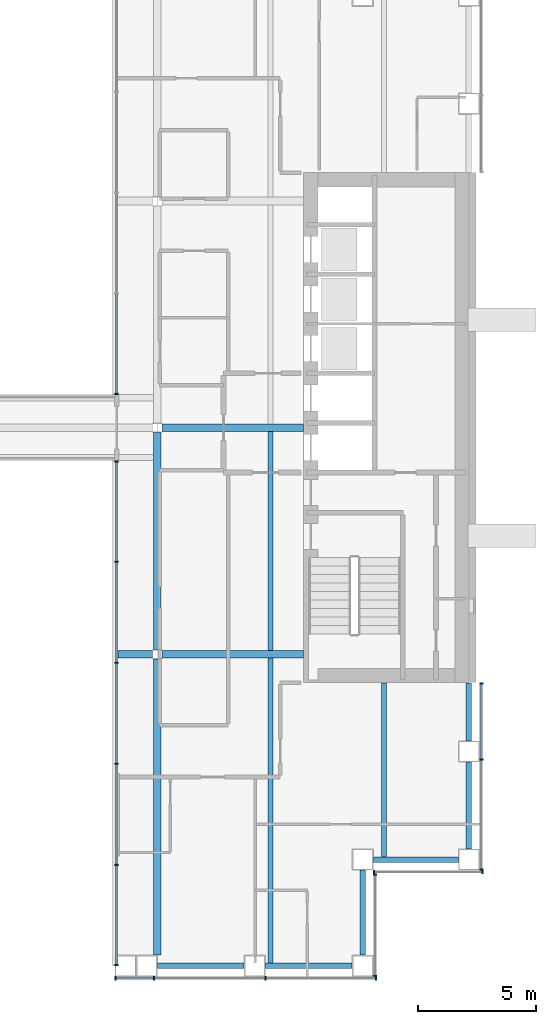
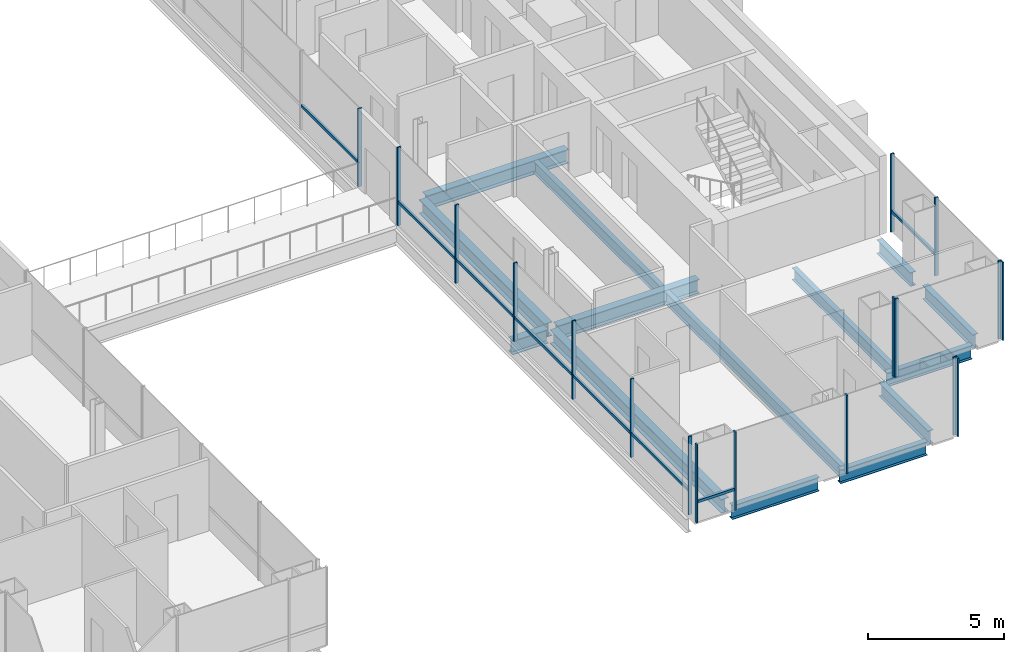
# One storey, part 5 of 17: 26 members, 14 beams, 6 elements without a shape of their own.
"""IFC4 building model written with IfcOpenShell, lengths in metres."""

from ifc_helpers import new_model, si_unit, direction, frame, origin, origin_2d, place, context, subcontext, project, spatial, rectangle, i_section, extrude, material, material_profile, profile_set, type_object, element, aggregate, save


model = new_model("IFC4")

# Units and contexts
model_context = context("Model", 3, precision=1e-05, world=origin(), true_north=direction((0.0, 1.0)))
body_context = subcontext(model_context, "Body", "Model", "MODEL_VIEW")
ifc_project = project(units=[si_unit("LENGTHUNIT", "METRE"), si_unit("AREAUNIT", "SQUARE_METRE"), si_unit("VOLUMEUNIT", "CUBIC_METRE"), si_unit("PLANEANGLEUNIT", "RADIAN"), si_unit("MASSUNIT", "GRAM", prefix="KILO")], contexts=[model_context])

# Site, building, storey
site_placement = place(None, origin())
site = spatial("IfcSite", under=ifc_project, at=site_placement, CompositionType="ELEMENT")
building_placement = place(site_placement, origin())
building = spatial("IfcBuilding", under=site, at=building_placement, Name="Cobrizo Arcos Hotel Tower", CompositionType="ELEMENT")
storey_placement = place(building_placement, frame((0.0, 0.0, 134.5)))
storey = spatial("IfcBuildingStorey", under=building, at=storey_placement, Name="L34", CompositionType="ELEMENT", Elevation=134.5)

# Curtain wall, members
ifc_material_1 = material(Name="Aluminium 6063-T6 anodised bronze", Category="aluminium")
curtain_wall_type_1 = type_object("IfcCurtainWallType", Name="CW-A guest facade", PredefinedType="NOTDEFINED", material=ifc_material_1)
curtain_wall_1_placement = place(storey_placement, origin())
curtain_wall_1 = element("IfcCurtainWall", 1, at=curtain_wall_1_placement, inside=storey, type_object=curtain_wall_type_1, Name="CW-A L34 S face", PredefinedType="NOTDEFINED")
ifc_material_profile_1 = material_profile(ifc_material_1, rectangle(XDim=0.14990234375, YDim=0.06005859375, at=origin_2d()), Name="CW-A mullion 150x60")
ifc_profile_set_1 = profile_set([ifc_material_profile_1], Name="Aluminium 6063-T6 anodised bronze")
member_type_1 = type_object("IfcMemberType", Name="CW-A mullion 150x60", PredefinedType="MULLION", material=ifc_profile_set_1)
member_1_placement = place(storey_placement, frame((7.830078125, -23.324951171875, 0.0), z_axis=(0.0, 0.0, 1.0), x_axis=(0.0, -1.0, 0.0)))
member_1 = element("IfcMember", 2, at=member_1_placement, type_object=member_type_1, Name="CW-A mullion 1", PredefinedType="MULLION", context=body_context, shape_type="SweptSolid", body=[
    extrude(rectangle(XDim=0.14990234375, YDim=0.06005859375, at=origin_2d()), origin(), (0.0, 0.0, 1.0), 3.5),
])
member_2_placement = place(storey_placement, frame((9.449951171875, -23.324951171875, 0.0), z_axis=(0.0, 0.0, 1.0), x_axis=(0.0, -1.0, 0.0)))
member_2 = element("IfcMember", 3, at=member_2_placement, type_object=member_type_1, Name="CW-A mullion 2", PredefinedType="MULLION", context=body_context, shape_type="SweptSolid", body=[
    extrude(rectangle(XDim=0.14990234375, YDim=0.06005859375, at=origin_2d()), origin(), (0.0, 0.0, 1.0), 3.5),
])
member_3_placement = place(storey_placement, frame((14.175048828125, -23.324951171875, 0.0), z_axis=(0.0, 0.0, 1.0), x_axis=(0.0, -1.0, 0.0)))
member_3 = element("IfcMember", 4, at=member_3_placement, type_object=member_type_1, Name="CW-A mullion 3", PredefinedType="MULLION", context=body_context, shape_type="SweptSolid", body=[
    extrude(rectangle(XDim=0.14990234375, YDim=0.06005859375, at=origin_2d()), origin(), (0.0, 0.0, 1.0), 3.5),
])
member_4_placement = place(storey_placement, frame((18.8701171875, -23.324951171875, 0.0), z_axis=(0.0, 0.0, 1.0), x_axis=(0.0, -1.0, 0.0)))
member_4 = element("IfcMember", 5, at=member_4_placement, type_object=member_type_1, Name="CW-A mullion 4", PredefinedType="MULLION", context=body_context, shape_type="SweptSolid", body=[
    extrude(rectangle(XDim=0.14990234375, YDim=0.06005859375, at=origin_2d()), origin(), (0.0, 0.0, 1.0), 3.5),
])

curtain_wall_2_placement = place(storey_placement, origin())
curtain_wall_2 = element("IfcCurtainWall", 6, at=curtain_wall_2_placement, inside=storey, type_object=curtain_wall_type_1, Name="CW-A L34 E face", PredefinedType="NOTDEFINED")
member_5_placement = place(storey_placement, frame((18.824951171875, -23.219970703125, 0.0), z_axis=(0.0, 0.0, 1.0), x_axis=(1.0, 0.0, 0.0)))
member_5 = element("IfcMember", 7, at=member_5_placement, type_object=member_type_1, Name="CW-A mullion 1", PredefinedType="MULLION", context=body_context, shape_type="SweptSolid", body=[
    extrude(rectangle(XDim=0.14990234375, YDim=0.06005859375, at=origin_2d()), origin(), (0.0, 0.0, 1.0), 3.5),
])
member_6_placement = place(storey_placement, frame((18.824951171875, -18.929931640625, 0.0), z_axis=(0.0, 0.0, 1.0), x_axis=(1.0, 0.0, 0.0)))
member_6 = element("IfcMember", 8, at=member_6_placement, type_object=member_type_1, Name="CW-A mullion 2", PredefinedType="MULLION", context=body_context, shape_type="SweptSolid", body=[
    extrude(rectangle(XDim=0.14990234375, YDim=0.06005859375, at=origin_2d()), origin(), (0.0, 0.0, 1.0), 3.5),
])
aggregate(curtain_wall_2, [member_5, member_6])

curtain_wall_3_placement = place(storey_placement, origin())
curtain_wall_3 = element("IfcCurtainWall", 9, at=curtain_wall_3_placement, inside=storey, type_object=curtain_wall_type_1, Name="CW-A L34 S face", PredefinedType="NOTDEFINED")
member_7_placement = place(storey_placement, frame((18.780029296875, -18.824951171875, 0.0), z_axis=(0.0, 0.0, 1.0), x_axis=(0.0, -1.0, 0.0)))
member_7 = element("IfcMember", 10, at=member_7_placement, type_object=member_type_1, Name="CW-A mullion 1", PredefinedType="MULLION", context=body_context, shape_type="SweptSolid", body=[
    extrude(rectangle(XDim=0.14990234375, YDim=0.06005859375, at=origin_2d()), origin(), (0.0, 0.0, 1.0), 3.5),
])
member_8_placement = place(storey_placement, frame((23.3701171875, -18.824951171875, 0.0), z_axis=(0.0, 0.0, 1.0), x_axis=(0.0, -1.0, 0.0)))
member_8 = element("IfcMember", 11, at=member_8_placement, type_object=member_type_1, Name="CW-A mullion 2", PredefinedType="MULLION", context=body_context, shape_type="SweptSolid", body=[
    extrude(rectangle(XDim=0.14990234375, YDim=0.06005859375, at=origin_2d()), origin(), (0.0, 0.0, 1.0), 3.5),
])
aggregate(curtain_wall_3, [member_7, member_8])

curtain_wall_4_placement = place(storey_placement, origin())
curtain_wall_4 = element("IfcCurtainWall", 12, at=curtain_wall_4_placement, inside=storey, type_object=curtain_wall_type_1, Name="CW-A L34 E face", PredefinedType="NOTDEFINED")
member_9_placement = place(storey_placement, frame((23.324951171875, -18.719970703125, 0.0), z_axis=(0.0, 0.0, 1.0), x_axis=(1.0, 0.0, 0.0)))
member_9 = element("IfcMember", 13, at=member_9_placement, type_object=member_type_1, Name="CW-A mullion 1", PredefinedType="MULLION", context=body_context, shape_type="SweptSolid", body=[
    extrude(rectangle(XDim=0.14990234375, YDim=0.06005859375, at=origin_2d()), origin(), (0.0, 0.0, 1.0), 3.5),
])
member_10_placement = place(storey_placement, frame((23.324951171875, -14.0625, 0.0), z_axis=(0.0, 0.0, 1.0), x_axis=(1.0, 0.0, 0.0)))
member_10 = element("IfcMember", 14, at=member_10_placement, type_object=member_type_1, Name="CW-A mullion 2", PredefinedType="MULLION", context=body_context, shape_type="SweptSolid", body=[
    extrude(rectangle(XDim=0.14990234375, YDim=0.06005859375, at=origin_2d()), origin(), (0.0, 0.0, 1.0), 3.5),
])
member_11_placement = place(storey_placement, frame((23.324951171875, -10.830078125, 0.0), z_axis=(0.0, 0.0, 1.0), x_axis=(1.0, 0.0, 0.0)))
member_11 = element("IfcMember", 15, at=member_11_placement, type_object=member_type_1, Name="CW-A mullion 3", PredefinedType="MULLION", context=body_context, shape_type="SweptSolid", body=[
    extrude(rectangle(XDim=0.14990234375, YDim=0.06005859375, at=origin_2d()), origin(), (0.0, 0.0, 1.0), 3.5),
])

# Member
ifc_material_profile_2 = material_profile(ifc_material_1, rectangle(XDim=0.10009765625, YDim=0.1201171875, at=origin_2d()), Name="CW-A transom 120x100")
ifc_profile_set_2 = profile_set([ifc_material_profile_2], Name="Aluminium 6063-T6 anodised bronze")
member_type_2 = type_object("IfcMemberType", Name="CW-A transom 120x100", PredefinedType="USERDEFINED", material=ifc_profile_set_2)
member_12_placement = place(storey_placement, frame((7.860107421875, -23.324951171875, 0.929931640625), z_axis=(1.0, 0.0, 0.0), x_axis=(0.0, 1.0, 0.0)))
member_12 = element("IfcMember", 16, at=member_12_placement, type_object=member_type_2, Name="CW-A transom 1250", ObjectType="TRANSOM", PredefinedType="USERDEFINED", context=body_context, shape_type="SweptSolid", body=[
    extrude(rectangle(XDim=0.10009765625, YDim=0.1201171875, at=origin_2d()), origin(), (0.0, 0.0, 1.0), 1.559814453125),
])

aggregate(curtain_wall_1, [member_1, member_2, member_3, member_4, member_12])

member_13_placement = place(storey_placement, frame((23.324951171875, -14.032470703125, 0.929931640625), z_axis=(0.0, 1.0, 0.0), x_axis=(-1.0, 0.0, 0.0)))
member_13 = element("IfcMember", 17, at=member_13_placement, type_object=member_type_2, Name="CW-A transom 1256", ObjectType="TRANSOM", PredefinedType="USERDEFINED", context=body_context, shape_type="SweptSolid", body=[
    extrude(rectangle(XDim=0.10009765625, YDim=0.1201171875, at=origin_2d()), origin(), (0.0, 0.0, 1.0), 3.17236328125),
])

aggregate(curtain_wall_4, [member_9, member_10, member_11, member_13])

# Curtain wall, members
curtain_wall_type_2 = type_object("IfcCurtainWallType", Name="CW-F void screen", PredefinedType="NOTDEFINED", material=ifc_material_1)
curtain_wall_5_placement = place(storey_placement, origin())
curtain_wall_5 = element("IfcCurtainWall", 18, at=curtain_wall_5_placement, inside=storey, type_object=curtain_wall_type_2, Name="CW-F L34 void screen B", PredefinedType="NOTDEFINED")
ifc_material_profile_3 = material_profile(ifc_material_1, rectangle(XDim=0.14990234375, YDim=0.06005859375, at=origin_2d()), Name="CW-F mullion 150x60")
ifc_profile_set_3 = profile_set([ifc_material_profile_3], Name="Aluminium 6063-T6 anodised bronze")
member_type_3 = type_object("IfcMemberType", Name="CW-F mullion 150x60", PredefinedType="MULLION", material=ifc_profile_set_3)
member_14_placement = place(storey_placement, frame((7.875, -22.77001953125, 0.0), z_axis=(0.0, 0.0, 1.0), x_axis=(1.0, 0.0, 0.0)))
member_14 = element("IfcMember", 19, at=member_14_placement, type_object=member_type_3, Name="CW-F mullion 1", PredefinedType="MULLION", context=body_context, shape_type="SweptSolid", body=[
    extrude(rectangle(XDim=0.14990234375, YDim=0.06005859375, at=origin_2d()), origin(), (0.0, 0.0, 1.0), 3.5),
])
member_15_placement = place(storey_placement, frame((7.875, -18.52001953125, 0.0), z_axis=(0.0, 0.0, 1.0), x_axis=(1.0, 0.0, 0.0)))
member_15 = element("IfcMember", 20, at=member_15_placement, type_object=member_type_3, Name="CW-F mullion 2", PredefinedType="MULLION", context=body_context, shape_type="SweptSolid", body=[
    extrude(rectangle(XDim=0.14990234375, YDim=0.06005859375, at=origin_2d()), origin(), (0.0, 0.0, 1.0), 3.5),
])
member_16_placement = place(storey_placement, frame((7.875, -14.239990234375, 0.0), z_axis=(0.0, 0.0, 1.0), x_axis=(1.0, 0.0, 0.0)))
member_16 = element("IfcMember", 21, at=member_16_placement, type_object=member_type_3, Name="CW-F mullion 3", PredefinedType="MULLION", context=body_context, shape_type="SweptSolid", body=[
    extrude(rectangle(XDim=0.14990234375, YDim=0.06005859375, at=origin_2d()), origin(), (0.0, 0.0, 1.0), 3.5),
])
member_17_placement = place(storey_placement, frame((7.875, -9.9599609375, 0.0), z_axis=(0.0, 0.0, 1.0), x_axis=(1.0, 0.0, 0.0)))
member_17 = element("IfcMember", 22, at=member_17_placement, type_object=member_type_3, Name="CW-F mullion 4", PredefinedType="MULLION", context=body_context, shape_type="SweptSolid", body=[
    extrude(rectangle(XDim=0.14990234375, YDim=0.06005859375, at=origin_2d()), origin(), (0.0, 0.0, 1.0), 3.5),
])
member_18_placement = place(storey_placement, frame((7.875, -5.679931640625, 0.0), z_axis=(0.0, 0.0, 1.0), x_axis=(1.0, 0.0, 0.0)))
member_18 = element("IfcMember", 23, at=member_18_placement, type_object=member_type_3, Name="CW-F mullion 5", PredefinedType="MULLION", context=body_context, shape_type="SweptSolid", body=[
    extrude(rectangle(XDim=0.14990234375, YDim=0.06005859375, at=origin_2d()), origin(), (0.0, 0.0, 1.0), 3.5),
])
member_19_placement = place(storey_placement, frame((7.875, -1.429931640625, 0.0), z_axis=(0.0, 0.0, 1.0), x_axis=(1.0, 0.0, 0.0)))
member_19 = element("IfcMember", 24, at=member_19_placement, type_object=member_type_3, Name="CW-F mullion 6", PredefinedType="MULLION", context=body_context, shape_type="SweptSolid", body=[
    extrude(rectangle(XDim=0.14990234375, YDim=0.06005859375, at=origin_2d()), origin(), (0.0, 0.0, 1.0), 3.5),
])

# Curtain wall, member
curtain_wall_6_placement = place(storey_placement, origin())
curtain_wall_6 = element("IfcCurtainWall", 25, at=curtain_wall_6_placement, inside=storey, type_object=curtain_wall_type_2, Name="CW-F L34 void screen B", PredefinedType="NOTDEFINED")
member_20_placement = place(storey_placement, frame((7.875, 1.429931640625, 0.0), z_axis=(0.0, 0.0, 1.0), x_axis=(1.0, 0.0, 0.0)))
member_20 = element("IfcMember", 26, at=member_20_placement, type_object=member_type_3, Name="CW-F mullion 1", PredefinedType="MULLION", context=body_context, shape_type="SweptSolid", body=[
    extrude(rectangle(XDim=0.14990234375, YDim=0.06005859375, at=origin_2d()), origin(), (0.0, 0.0, 1.0), 3.5),
])

# Member
ifc_material_profile_4 = material_profile(ifc_material_1, rectangle(XDim=0.10009765625, YDim=0.1201171875, at=origin_2d()), Name="CW-F transom 120x100")
ifc_profile_set_4 = profile_set([ifc_material_profile_4], Name="Aluminium 6063-T6 anodised bronze")
member_type_4 = type_object("IfcMemberType", Name="CW-F transom 120x100", PredefinedType="USERDEFINED", material=ifc_profile_set_4)
member_21_placement = place(storey_placement, frame((7.875, -22.739990234375, 1.050048828125), z_axis=(0.0, 1.0, 0.0), x_axis=(-1.0, 0.0, 0.0)))
member_21 = element("IfcMember", 27, at=member_21_placement, type_object=member_type_4, Name="CW-F transom 2666", ObjectType="TRANSOM", PredefinedType="USERDEFINED", context=body_context, shape_type="SweptSolid", body=[
    extrude(rectangle(XDim=0.10009765625, YDim=0.1201171875, at=origin_2d()), origin(), (0.0, 0.0, 1.0), 4.18994140625),
])

member_22_placement = place(storey_placement, frame((7.875, -18.489990234375, 1.050048828125), z_axis=(0.0, 1.0, 0.0), x_axis=(-1.0, 0.0, 0.0)))
member_22 = element("IfcMember", 28, at=member_22_placement, type_object=member_type_4, Name="CW-F transom 2667", ObjectType="TRANSOM", PredefinedType="USERDEFINED", context=body_context, shape_type="SweptSolid", body=[
    extrude(rectangle(XDim=0.10009765625, YDim=0.1201171875, at=origin_2d()), origin(), (0.0, 0.0, 1.0), 4.219970703125),
])

member_23_placement = place(storey_placement, frame((7.875, -14.2099609375, 1.050048828125), z_axis=(0.0, 1.0, 0.0), x_axis=(-1.0, 0.0, 0.0)))
member_23 = element("IfcMember", 29, at=member_23_placement, type_object=member_type_4, Name="CW-F transom 2668", ObjectType="TRANSOM", PredefinedType="USERDEFINED", context=body_context, shape_type="SweptSolid", body=[
    extrude(rectangle(XDim=0.10009765625, YDim=0.1201171875, at=origin_2d()), origin(), (0.0, 0.0, 1.0), 4.219970703125),
])

member_24_placement = place(storey_placement, frame((7.875, -9.929931640625, 1.050048828125), z_axis=(0.0, 1.0, 0.0), x_axis=(-1.0, 0.0, 0.0)))
member_24 = element("IfcMember", 30, at=member_24_placement, type_object=member_type_4, Name="CW-F transom 2669", ObjectType="TRANSOM", PredefinedType="USERDEFINED", context=body_context, shape_type="SweptSolid", body=[
    extrude(rectangle(XDim=0.10009765625, YDim=0.1201171875, at=origin_2d()), origin(), (0.0, 0.0, 1.0), 4.219970703125),
])

member_25_placement = place(storey_placement, frame((7.875, -5.64990234375, 1.050048828125), z_axis=(0.0, 1.0, 0.0), x_axis=(-1.0, 0.0, 0.0)))
member_25 = element("IfcMember", 31, at=member_25_placement, type_object=member_type_4, Name="CW-F transom 2670", ObjectType="TRANSOM", PredefinedType="USERDEFINED", context=body_context, shape_type="SweptSolid", body=[
    extrude(rectangle(XDim=0.10009765625, YDim=0.1201171875, at=origin_2d()), origin(), (0.0, 0.0, 1.0), 4.18994140625),
])

aggregate(curtain_wall_5, [member_14, member_15, member_16, member_17, member_18, member_19, member_21, member_22, member_23, member_24, member_25])

member_26_placement = place(storey_placement, frame((7.875, 1.4599609375, 1.050048828125), z_axis=(0.0, 1.0, 0.0), x_axis=(-1.0, 0.0, 0.0)))
member_26 = element("IfcMember", 32, at=member_26_placement, type_object=member_type_4, Name="CW-F transom 2671", ObjectType="TRANSOM", PredefinedType="USERDEFINED", context=body_context, shape_type="SweptSolid", body=[
    extrude(rectangle(XDim=0.10009765625, YDim=0.1201171875, at=origin_2d()), origin(), (0.0, 0.0, 1.0), 4.18994140625),
])

aggregate(curtain_wall_6, [member_20, member_26])

# Beams
ifc_material_2 = material(Name="Steel ASTM A992 Grade 50", Category="steel")
ifc_material_profile_5 = material_profile(ifc_material_2, i_section(OverallWidth=0.209228515625, OverallDepth=0.533447265625, WebThickness=0.01025390625, FlangeThickness=0.015625, at=origin_2d()), Name="W21X62")
ifc_profile_set_5 = profile_set([ifc_material_profile_5], Name="Steel ASTM A992 Grade 50")
beam_type_1 = type_object("IfcBeamType", Name="W21X62 joist", PredefinedType="JOIST", material=ifc_profile_set_5)
beam_1_placement = place(storey_placement, frame((14.39990234375, -22.7099609375, -0.416748046875), z_axis=(0.0, 1.0, 0.0), x_axis=(-1.0, 0.0, 0.0)))
element("IfcBeam", 33, at=beam_1_placement, inside=storey, type_object=beam_type_1, Name="Floor joist J1, L34, no. 007", PredefinedType="JOIST", context=body_context, shape_type="SweptSolid", body=[
    extrude(i_section(OverallWidth=0.209228515625, OverallDepth=0.533447265625, WebThickness=0.01025390625, FlangeThickness=0.015625, at=origin_2d()), origin(), (0.0, 0.0, 1.0), 12.946044921875),
])
beam_2_placement = place(storey_placement, frame((14.39990234375, -9.43603515625, -0.416748046875), z_axis=(0.0, 1.0, 0.0), x_axis=(-1.0, 0.0, 0.0)))
element("IfcBeam", 34, at=beam_2_placement, inside=storey, type_object=beam_type_1, Name="Floor joist J1, L34, no. 008", PredefinedType="JOIST", context=body_context, shape_type="SweptSolid", body=[
    extrude(i_section(OverallWidth=0.209228515625, OverallDepth=0.533447265625, WebThickness=0.01025390625, FlangeThickness=0.015625, at=origin_2d()), origin(), (0.0, 0.0, 1.0), 9.272216796875),
])
beam_3_placement = place(storey_placement, frame((19.199951171875, -18.2099609375, -0.416748046875), z_axis=(0.0, 1.0, 0.0), x_axis=(-1.0, 0.0, 0.0)))
element("IfcBeam", 35, at=beam_3_placement, inside=storey, type_object=beam_type_1, Name="Floor joist J1, L34, no. 011", PredefinedType="JOIST", context=body_context, shape_type="SweptSolid", body=[
    extrude(i_section(OverallWidth=0.209228515625, OverallDepth=0.533447265625, WebThickness=0.01025390625, FlangeThickness=0.015625, at=origin_2d()), origin(), (0.0, 0.0, 1.0), 7.39990234375),
])
ifc_material_profile_6 = material_profile(ifc_material_2, i_section(OverallWidth=0.32763671875, OverallDepth=0.622314453125, WebThickness=0.015380859375, FlangeThickness=0.0244140625, at=origin_2d()), Name="W24X131")
ifc_profile_set_6 = profile_set([ifc_material_profile_6], Name="Steel ASTM A992 Grade 50")
beam_type_2 = type_object("IfcBeamType", Name="W24X131 girder", PredefinedType="BEAM", material=ifc_profile_set_6)
beam_4_placement = place(storey_placement, frame((7.889892578125, -9.60009765625, -0.461181640625), z_axis=(1.0, 0.0, 0.0), x_axis=(0.0, 1.0, 0.0)))
element("IfcBeam", 36, at=beam_4_placement, inside=storey, type_object=beam_type_2, Name="Floor girder G1, L34, no. 003", PredefinedType="BEAM", context=body_context, shape_type="SweptSolid", body=[
    extrude(i_section(OverallWidth=0.32763671875, OverallDepth=0.622314453125, WebThickness=0.015380859375, FlangeThickness=0.0244140625, at=origin_2d()), origin(), (0.0, 0.0, 1.0), 1.5107421875),
])
for number, where, z_axis, x_axis, name in (
    (37, (9.79931640625, -9.60009765625, -0.461181640625), (1.0, 0.0, 0.0), (0.0, 1.0, 0.0), "Floor girder G1, L34, no. 004"),
    (38, (9.79931640625, 0.0, -0.461181640625), (1.0, 0.0, 0.0), (0.0, 1.0, 0.0), "Floor girder G1, L34, no. 007"),
):
    element("IfcBeam", number, at=place(storey_placement, frame(where, z_axis=z_axis, x_axis=x_axis)), inside=storey, type_object=beam_type_2, Name=name, PredefinedType="BEAM", context=body_context, shape_type="SweptSolid", body=[
        extrude(i_section(OverallWidth=0.32763671875, OverallDepth=0.622314453125, WebThickness=0.015380859375, FlangeThickness=0.0244140625, at=origin_2d()), origin(), (0.0, 0.0, 1.0), 5.99072265625),
    ])
beam_5_placement = place(storey_placement, frame((9.60009765625, -22.35009765625, -0.461181640625), z_axis=(0.0, 1.0, 0.0), x_axis=(-1.0, 0.0, 0.0)))
element("IfcBeam", 39, at=beam_5_placement, inside=storey, type_object=beam_type_2, Name="Floor girder G1, L34, no. 016", PredefinedType="BEAM", context=body_context, shape_type="SweptSolid", body=[
    extrude(i_section(OverallWidth=0.32763671875, OverallDepth=0.622314453125, WebThickness=0.015380859375, FlangeThickness=0.0244140625, at=origin_2d()), origin(), (0.0, 0.0, 1.0), 12.55078125),
])
beam_6_placement = place(storey_placement, frame((9.60009765625, -9.400634765625, -0.461181640625), z_axis=(0.0, 1.0, 0.0), x_axis=(-1.0, 0.0, 0.0)))
element("IfcBeam", 40, at=beam_6_placement, inside=storey, type_object=beam_type_2, Name="Floor girder G1, L34, no. 017", PredefinedType="BEAM", context=body_context, shape_type="SweptSolid", body=[
    extrude(i_section(OverallWidth=0.32763671875, OverallDepth=0.622314453125, WebThickness=0.015380859375, FlangeThickness=0.0244140625, at=origin_2d()), origin(), (0.0, 0.0, 1.0), 9.201171875),
])
ifc_material_profile_7 = material_profile(ifc_material_2, i_section(OverallWidth=0.23046875, OverallDepth=0.6171875, WebThickness=0.01318359375, FlangeThickness=0.022216796875, at=origin_2d()), Name="W24X94")
ifc_profile_set_7 = profile_set([ifc_material_profile_7], Name="Steel ASTM A992 Grade 50")
beam_type_3 = type_object("IfcBeamType", Name="W24X94 spandrel", PredefinedType="SPANDREL", material=ifc_profile_set_7)
beam_7_placement = place(storey_placement, frame((22.800048828125, -10.81005859375, -0.45849609375), z_axis=(0.0, -1.0, 0.0), x_axis=(1.0, 0.0, 0.0)))
element("IfcBeam", 41, at=beam_7_placement, inside=storey, type_object=beam_type_3, Name="Spandrel beam W24X94, L34, no. 004", PredefinedType="SPANDREL", context=body_context, shape_type="SweptSolid", body=[
    extrude(i_section(OverallWidth=0.23046875, OverallDepth=0.6171875, WebThickness=0.01318359375, FlangeThickness=0.022216796875, at=origin_2d()), origin(), (0.0, 0.0, 1.0), 2.46484375),
])
beam_8_placement = place(storey_placement, frame((22.800048828125, -14.175048828125, -0.45849609375), z_axis=(0.0, -1.0, 0.0), x_axis=(1.0, 0.0, 0.0)))
element("IfcBeam", 42, at=beam_8_placement, inside=storey, type_object=beam_type_3, Name="Spandrel beam W24X94, L34, no. 005", PredefinedType="SPANDREL", context=body_context, shape_type="SweptSolid", body=[
    extrude(i_section(OverallWidth=0.23046875, OverallDepth=0.6171875, WebThickness=0.01318359375, FlangeThickness=0.022216796875, at=origin_2d()), origin(), (0.0, 0.0, 1.0), 3.675048828125),
])
for number, where, z_axis, x_axis, name in (
    (43, (22.35009765625, -18.300048828125, -0.45849609375), (-1.0, 0.0, 0.0), (0.0, -1.0, 0.0), "Spandrel beam W24X94, L34, no. 006"),
    (44, (18.300048828125, -18.75, -0.45849609375), (0.0, -1.0, 0.0), (1.0, 0.0, 0.0), "Spandrel beam W24X94, L34, no. 007"),
):
    element("IfcBeam", number, at=place(storey_placement, frame(where, z_axis=z_axis, x_axis=x_axis)), inside=storey, type_object=beam_type_3, Name=name, PredefinedType="SPANDREL", context=body_context, shape_type="SweptSolid", body=[
        extrude(i_section(OverallWidth=0.23046875, OverallDepth=0.6171875, WebThickness=0.01318359375, FlangeThickness=0.022216796875, at=origin_2d()), origin(), (0.0, 0.0, 1.0), 3.60009765625),
    ])
beam_9_placement = place(storey_placement, frame((17.85009765625, -22.800048828125, -0.45849609375), z_axis=(-1.0, 0.0, 0.0), x_axis=(0.0, -1.0, 0.0)))
element("IfcBeam", 45, at=beam_9_placement, inside=storey, type_object=beam_type_3, Name="Spandrel beam W24X94, L34, no. 008", PredefinedType="SPANDREL", context=body_context, shape_type="SweptSolid", body=[
    extrude(i_section(OverallWidth=0.23046875, OverallDepth=0.6171875, WebThickness=0.01318359375, FlangeThickness=0.022216796875, at=origin_2d()), origin(), (0.0, 0.0, 1.0), 3.675048828125),
])
beam_10_placement = place(storey_placement, frame((13.27490234375, -22.800048828125, -0.45849609375), z_axis=(-1.0, 0.0, 0.0), x_axis=(0.0, -1.0, 0.0)))
element("IfcBeam", 46, at=beam_10_placement, inside=storey, type_object=beam_type_3, Name="Spandrel beam W24X94, L34, no. 009", PredefinedType="SPANDREL", context=body_context, shape_type="SweptSolid", body=[
    extrude(i_section(OverallWidth=0.23046875, OverallDepth=0.6171875, WebThickness=0.01318359375, FlangeThickness=0.022216796875, at=origin_2d()), origin(), (0.0, 0.0, 1.0), 3.6748046875),
])

save(model, "model.ifc")
